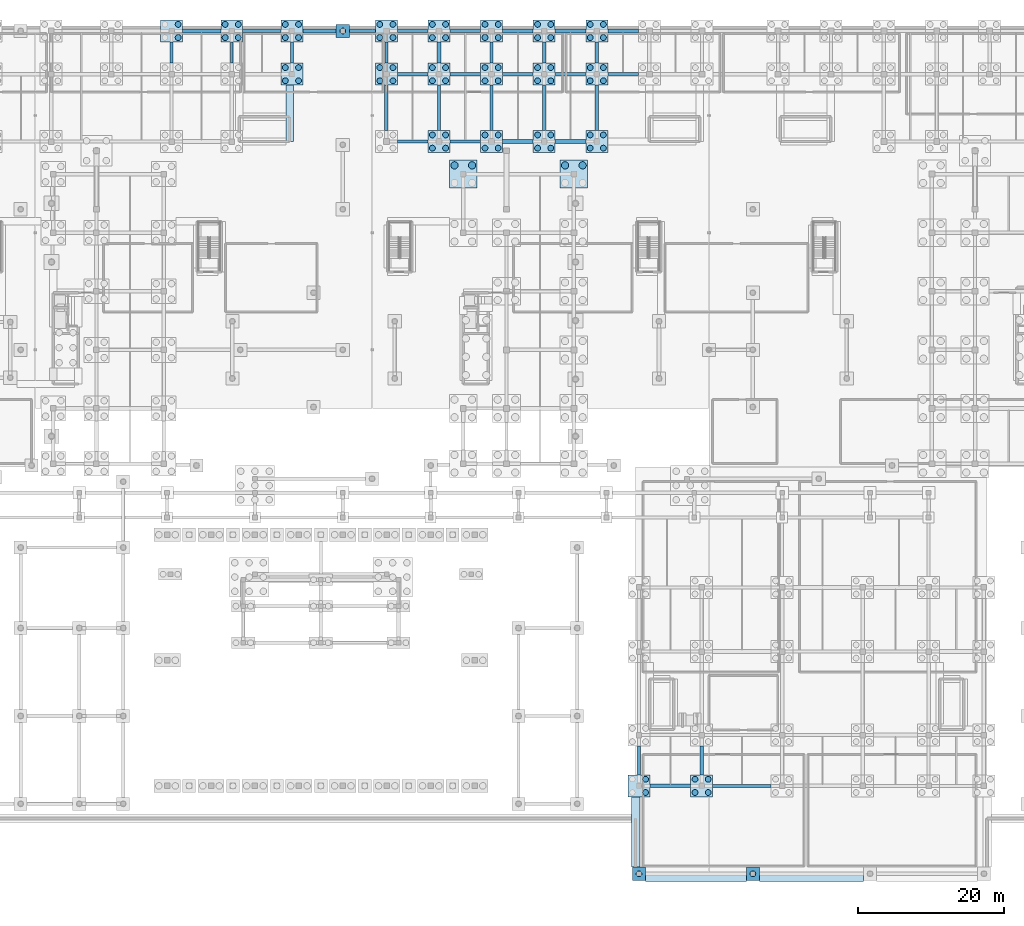
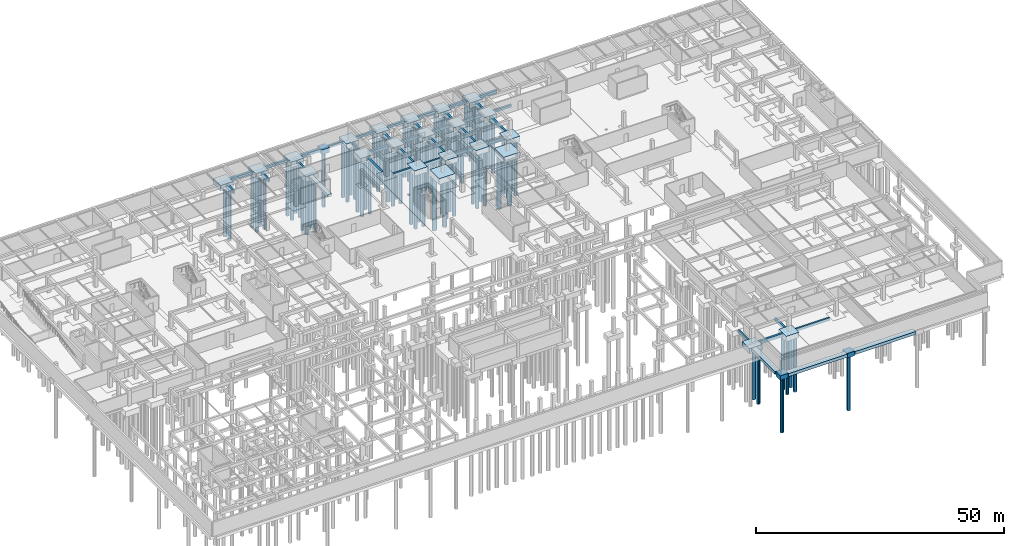
# One storey, part 8 of 35: 83 piles, 64 footings.
"""IFC4 building model written with IfcOpenShell, lengths in metres."""

from ifc_helpers import new_model, si_unit, direction, frame, origin, origin_2d, place, context, subcontext, project, spatial, rectangle, circle, extrude, material, material_profile, profile_set, type_object, element, save


model = new_model("IFC4")

# Units and contexts
model_context = context("Model", 3, precision=1e-05, world=origin(), true_north=direction((0.0, 1.0)))
body_context = subcontext(model_context, "Body", "Model", "MODEL_VIEW")
ifc_project = project(units=[si_unit("LENGTHUNIT", "METRE"), si_unit("AREAUNIT", "SQUARE_METRE"), si_unit("VOLUMEUNIT", "CUBIC_METRE"), si_unit("PLANEANGLEUNIT", "RADIAN"), si_unit("MASSUNIT", "GRAM", prefix="KILO")], contexts=[model_context])

# Site, building, storey
site_placement = place(None, origin())
site = spatial("IfcSite", under=ifc_project, at=site_placement, CompositionType="ELEMENT")
building_placement = place(site_placement, origin())
building = spatial("IfcBuilding", under=site, at=building_placement, Name="Keldmere Railside Commons", CompositionType="ELEMENT")
storey_placement = place(building_placement, frame((0.0, 0.0, -3.840087890625)))
storey = spatial("IfcBuildingStorey", under=building, at=storey_placement, Name="B1", CompositionType="ELEMENT", Elevation=-3.840087890625)

# Piles
ifc_material_1 = material(Name="Concrete H-30 (C30/37)", Category="concrete")
ifc_material_profile_1 = material_profile(ifc_material_1, circle(Radius=0.5, at=origin_2d()), Name="PILE-D1000")
ifc_profile_set_1 = profile_set([ifc_material_profile_1], Name="Concrete H-30 (C30/37)")
pile_type_1 = type_object("IfcPileType", Name="Bored Concrete Pile D1000", PredefinedType="BORED", material=ifc_profile_set_1)
for number, where, z_axis, x_axis, name in (
    (1, (105.64990234375, 97.199951171875, -1.39990234375), (0.0, 0.0, -1.0), (1.0, 0.0, 0.0), "BP-1000 PILE-0491"),
    (2, (103.25, 97.199951171875, -1.39990234375), (0.0, 0.0, -1.0), (1.0, 0.0, 0.0), "BP-1000 PILE-0492"),
    (3, (120.75, 97.199951171875, -1.39990234375), (0.0, 0.0, -1.0), (1.0, 0.0, 0.0), "BP-1000 PILE-0566"),
    (4, (118.35009765625, 97.199951171875, -1.39990234375), (0.0, 0.0, -1.0), (1.0, 0.0, 0.0), "BP-1000 PILE-0567"),
):
    element("IfcPile", number, at=place(storey_placement, frame(where, z_axis=z_axis, x_axis=x_axis)), inside=storey, type_object=pile_type_1, Name=name, PredefinedType="BORED", context=body_context, shape_type="SweptSolid", body=[
        extrude(circle(Radius=0.5, at=origin_2d()), origin(), (0.0, 0.0, 1.0), 13.260009765625),
    ])
ifc_material_profile_2 = material_profile(ifc_material_1, circle(Radius=0.39990234375, at=origin_2d()), Name="PILE-D800")
ifc_profile_set_2 = profile_set([ifc_material_profile_2], Name="Concrete H-30 (C30/37)")
pile_type_2 = type_object("IfcPileType", Name="Bored Concrete Pile D800", PredefinedType="BORED", material=ifc_profile_set_2)
for number, where, z_axis, x_axis, name in (
    (5, (65.510009765625, 114.64990234375, -1.199951171875), (0.0, 0.0, -1.0), (1.0, 0.0, 0.0), "BP-800 PILE-0337"),
    (6, (65.510009765625, 116.449951171875, -1.199951171875), (0.0, 0.0, -1.0), (1.0, 0.0, 0.0), "BP-800 PILE-0338"),
    (7, (71.929931640625, 114.64990234375, -1.199951171875), (0.0, 0.0, -1.0), (1.0, 0.0, 0.0), "BP-800 PILE-0355"),
    (8, (73.72998046875, 114.64990234375, -1.199951171875), (0.0, 0.0, -1.0), (1.0, 0.0, 0.0), "BP-800 PILE-0356"),
    (9, (73.72998046875, 116.449951171875, -1.199951171875), (0.0, 0.0, -1.0), (1.0, 0.0, 0.0), "BP-800 PILE-0357"),
    (10, (71.929931640625, 116.449951171875, -1.199951171875), (0.0, 0.0, -1.0), (1.0, 0.0, 0.0), "BP-800 PILE-0358"),
    (11, (80.14990234375, 108.75, -1.199951171875), (0.0, 0.0, -1.0), (1.0, 0.0, 0.0), "BP-800 PILE-0392"),
    (12, (81.949951171875, 108.75, -1.199951171875), (0.0, 0.0, -1.0), (1.0, 0.0, 0.0), "BP-800 PILE-0393"),
    (13, (81.949951171875, 110.550048828125, -1.199951171875), (0.0, 0.0, -1.0), (1.0, 0.0, 0.0), "BP-800 PILE-0394"),
    (14, (80.14990234375, 110.550048828125, -1.199951171875), (0.0, 0.0, -1.0), (1.0, 0.0, 0.0), "BP-800 PILE-0395"),
    (15, (80.14990234375, 114.64990234375, -1.199951171875), (0.0, 0.0, -1.0), (1.0, 0.0, 0.0), "BP-800 PILE-0396"),
    (16, (81.949951171875, 114.64990234375, -1.199951171875), (0.0, 0.0, -1.0), (1.0, 0.0, 0.0), "BP-800 PILE-0397"),
    (17, (81.949951171875, 116.449951171875, -1.199951171875), (0.0, 0.0, -1.0), (1.0, 0.0, 0.0), "BP-800 PILE-0398"),
    (18, (80.14990234375, 116.449951171875, -1.199951171875), (0.0, 0.0, -1.0), (1.0, 0.0, 0.0), "BP-800 PILE-0399"),
):
    element("IfcPile", number, at=place(storey_placement, frame(where, z_axis=z_axis, x_axis=x_axis)), inside=storey, type_object=pile_type_2, Name=name, PredefinedType="BORED", context=body_context, shape_type="SweptSolid", body=[
        extrude(circle(Radius=0.39990234375, at=origin_2d()), origin(), (0.0, 0.0, 1.0), 13.4599609375),
    ])
pile_1_placement = place(storey_placement, frame((88.0, 115.550048828125, -1.0), z_axis=(0.0, 0.0, -1.0), x_axis=(1.0, 0.0, 0.0)))
element("IfcPile", 19, at=pile_1_placement, inside=storey, type_object=pile_type_2, Name="BP-800 PILE-0421", PredefinedType="BORED", context=body_context, shape_type="SweptSolid", body=[
    extrude(circle(Radius=0.39990234375, at=origin_2d()), origin(), (0.0, 0.0, 1.0), 13.659912109375),
])
for number, where, z_axis, x_axis, name in (
    (20, (93.050048828125, 108.75, -1.199951171875), (0.0, 0.0, -1.0), (1.0, 0.0, 0.0), "BP-800 PILE-0429"),
    (21, (94.85009765625, 108.75, -1.199951171875), (0.0, 0.0, -1.0), (1.0, 0.0, 0.0), "BP-800 PILE-0430"),
    (22, (94.85009765625, 110.550048828125, -1.199951171875), (0.0, 0.0, -1.0), (1.0, 0.0, 0.0), "BP-800 PILE-0431"),
    (23, (93.050048828125, 110.550048828125, -1.199951171875), (0.0, 0.0, -1.0), (1.0, 0.0, 0.0), "BP-800 PILE-0432"),
    (24, (93.050048828125, 114.64990234375, -1.199951171875), (0.0, 0.0, -1.0), (1.0, 0.0, 0.0), "BP-800 PILE-0433"),
    (25, (94.85009765625, 114.64990234375, -1.199951171875), (0.0, 0.0, -1.0), (1.0, 0.0, 0.0), "BP-800 PILE-0434"),
    (26, (94.85009765625, 116.449951171875, -1.199951171875), (0.0, 0.0, -1.0), (1.0, 0.0, 0.0), "BP-800 PILE-0435"),
    (27, (93.050048828125, 116.449951171875, -1.199951171875), (0.0, 0.0, -1.0), (1.0, 0.0, 0.0), "BP-800 PILE-0436"),
    (28, (100.23291015625, 99.550048828125, -1.199951171875), (0.0, 0.0, -1.0), (1.0, 0.0, 0.0), "BP-800 PILE-0463"),
    (29, (102.032958984375, 99.550048828125, -1.199951171875), (0.0, 0.0, -1.0), (1.0, 0.0, 0.0), "BP-800 PILE-0464"),
    (30, (102.032958984375, 101.35009765625, -1.199951171875), (0.0, 0.0, -1.0), (1.0, 0.0, 0.0), "BP-800 PILE-0465"),
    (31, (100.23291015625, 101.35009765625, -1.199951171875), (0.0, 0.0, -1.0), (1.0, 0.0, 0.0), "BP-800 PILE-0466"),
    (32, (100.23291015625, 108.75, -1.199951171875), (0.0, 0.0, -1.0), (1.0, 0.0, 0.0), "BP-800 PILE-0467"),
    (33, (102.032958984375, 108.75, -1.199951171875), (0.0, 0.0, -1.0), (1.0, 0.0, 0.0), "BP-800 PILE-0468"),
    (34, (102.032958984375, 110.550048828125, -1.199951171875), (0.0, 0.0, -1.0), (1.0, 0.0, 0.0), "BP-800 PILE-0469"),
    (35, (100.23291015625, 110.550048828125, -1.199951171875), (0.0, 0.0, -1.0), (1.0, 0.0, 0.0), "BP-800 PILE-0470"),
    (36, (100.23291015625, 114.64990234375, -1.199951171875), (0.0, 0.0, -1.0), (1.0, 0.0, 0.0), "BP-800 PILE-0471"),
    (37, (102.032958984375, 114.64990234375, -1.199951171875), (0.0, 0.0, -1.0), (1.0, 0.0, 0.0), "BP-800 PILE-0472"),
    (38, (102.032958984375, 116.449951171875, -1.199951171875), (0.0, 0.0, -1.0), (1.0, 0.0, 0.0), "BP-800 PILE-0473"),
    (39, (100.23291015625, 116.449951171875, -1.199951171875), (0.0, 0.0, -1.0), (1.0, 0.0, 0.0), "BP-800 PILE-0474"),
    (40, (107.4169921875, 99.550048828125, -1.199951171875), (0.0, 0.0, -1.0), (1.0, 0.0, 0.0), "BP-800 PILE-0501"),
    (41, (109.217041015625, 99.550048828125, -1.199951171875), (0.0, 0.0, -1.0), (1.0, 0.0, 0.0), "BP-800 PILE-0502"),
    (42, (109.217041015625, 101.35009765625, -1.199951171875), (0.0, 0.0, -1.0), (1.0, 0.0, 0.0), "BP-800 PILE-0503"),
    (43, (107.4169921875, 101.35009765625, -1.199951171875), (0.0, 0.0, -1.0), (1.0, 0.0, 0.0), "BP-800 PILE-0504"),
    (44, (107.4169921875, 108.75, -1.199951171875), (0.0, 0.0, -1.0), (1.0, 0.0, 0.0), "BP-800 PILE-0505"),
    (45, (109.217041015625, 108.75, -1.199951171875), (0.0, 0.0, -1.0), (1.0, 0.0, 0.0), "BP-800 PILE-0506"),
    (46, (109.217041015625, 110.550048828125, -1.199951171875), (0.0, 0.0, -1.0), (1.0, 0.0, 0.0), "BP-800 PILE-0507"),
    (47, (107.4169921875, 110.550048828125, -1.199951171875), (0.0, 0.0, -1.0), (1.0, 0.0, 0.0), "BP-800 PILE-0508"),
    (48, (107.4169921875, 114.64990234375, -1.199951171875), (0.0, 0.0, -1.0), (1.0, 0.0, 0.0), "BP-800 PILE-0509"),
    (49, (109.217041015625, 114.64990234375, -1.199951171875), (0.0, 0.0, -1.0), (1.0, 0.0, 0.0), "BP-800 PILE-0510"),
    (50, (109.217041015625, 116.449951171875, -1.199951171875), (0.0, 0.0, -1.0), (1.0, 0.0, 0.0), "BP-800 PILE-0511"),
    (51, (107.4169921875, 116.449951171875, -1.199951171875), (0.0, 0.0, -1.0), (1.0, 0.0, 0.0), "BP-800 PILE-0512"),
    (52, (114.60009765625, 99.550048828125, -1.199951171875), (0.0, 0.0, -1.0), (1.0, 0.0, 0.0), "BP-800 PILE-0532"),
    (53, (116.39990234375, 99.550048828125, -1.199951171875), (0.0, 0.0, -1.0), (1.0, 0.0, 0.0), "BP-800 PILE-0533"),
    (54, (116.39990234375, 101.35009765625, -1.199951171875), (0.0, 0.0, -1.0), (1.0, 0.0, 0.0), "BP-800 PILE-0534"),
    (55, (114.60009765625, 101.35009765625, -1.199951171875), (0.0, 0.0, -1.0), (1.0, 0.0, 0.0), "BP-800 PILE-0535"),
    (56, (114.60009765625, 108.75, -1.199951171875), (0.0, 0.0, -1.0), (1.0, 0.0, 0.0), "BP-800 PILE-0536"),
    (57, (116.39990234375, 108.75, -1.199951171875), (0.0, 0.0, -1.0), (1.0, 0.0, 0.0), "BP-800 PILE-0537"),
    (58, (116.39990234375, 110.550048828125, -1.199951171875), (0.0, 0.0, -1.0), (1.0, 0.0, 0.0), "BP-800 PILE-0538"),
    (59, (114.60009765625, 110.550048828125, -1.199951171875), (0.0, 0.0, -1.0), (1.0, 0.0, 0.0), "BP-800 PILE-0539"),
    (60, (114.60009765625, 114.64990234375, -1.199951171875), (0.0, 0.0, -1.0), (1.0, 0.0, 0.0), "BP-800 PILE-0540"),
    (61, (116.39990234375, 114.64990234375, -1.199951171875), (0.0, 0.0, -1.0), (1.0, 0.0, 0.0), "BP-800 PILE-0541"),
    (62, (116.39990234375, 116.449951171875, -1.199951171875), (0.0, 0.0, -1.0), (1.0, 0.0, 0.0), "BP-800 PILE-0542"),
    (63, (114.60009765625, 116.449951171875, -1.199951171875), (0.0, 0.0, -1.0), (1.0, 0.0, 0.0), "BP-800 PILE-0543"),
    (64, (121.782958984375, 99.550048828125, -1.199951171875), (0.0, 0.0, -1.0), (1.0, 0.0, 0.0), "BP-800 PILE-0577"),
    (65, (123.5830078125, 99.550048828125, -1.199951171875), (0.0, 0.0, -1.0), (1.0, 0.0, 0.0), "BP-800 PILE-0578"),
    (66, (123.5830078125, 101.35009765625, -1.199951171875), (0.0, 0.0, -1.0), (1.0, 0.0, 0.0), "BP-800 PILE-0579"),
    (67, (121.782958984375, 101.35009765625, -1.199951171875), (0.0, 0.0, -1.0), (1.0, 0.0, 0.0), "BP-800 PILE-0580"),
    (68, (121.782958984375, 108.75, -1.199951171875), (0.0, 0.0, -1.0), (1.0, 0.0, 0.0), "BP-800 PILE-0581"),
    (69, (123.5830078125, 108.75, -1.199951171875), (0.0, 0.0, -1.0), (1.0, 0.0, 0.0), "BP-800 PILE-0582"),
    (70, (123.5830078125, 110.550048828125, -1.199951171875), (0.0, 0.0, -1.0), (1.0, 0.0, 0.0), "BP-800 PILE-0583"),
    (71, (121.782958984375, 110.550048828125, -1.199951171875), (0.0, 0.0, -1.0), (1.0, 0.0, 0.0), "BP-800 PILE-0584"),
    (72, (121.782958984375, 114.64990234375, -1.199951171875), (0.0, 0.0, -1.0), (1.0, 0.0, 0.0), "BP-800 PILE-0585"),
    (73, (123.5830078125, 114.64990234375, -1.199951171875), (0.0, 0.0, -1.0), (1.0, 0.0, 0.0), "BP-800 PILE-0586"),
    (74, (123.5830078125, 116.449951171875, -1.199951171875), (0.0, 0.0, -1.0), (1.0, 0.0, 0.0), "BP-800 PILE-0587"),
    (75, (121.782958984375, 116.449951171875, -1.199951171875), (0.0, 0.0, -1.0), (1.0, 0.0, 0.0), "BP-800 PILE-0588"),
):
    element("IfcPile", number, at=place(storey_placement, frame(where, z_axis=z_axis, x_axis=x_axis)), inside=storey, type_object=pile_type_2, Name=name, PredefinedType="BORED", context=body_context, shape_type="SweptSolid", body=[
        extrude(circle(Radius=0.39990234375, at=origin_2d()), origin(), (0.0, 0.0, 1.0), 13.4599609375),
    ])
pile_2_placement = place(storey_placement, frame((128.449951171875, 0.449951171875, -1.0), z_axis=(0.0, 0.0, -1.0), x_axis=(1.0, 0.0, 0.0)))
element("IfcPile", 76, at=pile_2_placement, inside=storey, type_object=pile_type_2, Name="BP-800 PILE-0590", PredefinedType="BORED", context=body_context, shape_type="SweptSolid", body=[
    extrude(circle(Radius=0.39990234375, at=origin_2d()), origin(), (0.0, 0.0, 1.0), 13.659912109375),
])
for number, where, z_axis, x_axis, name in (
    (77, (129.35009765625, 11.550048828125, -1.199951171875), (0.0, 0.0, -1.0), (1.0, 0.0, 0.0), "BP-800 PILE-0592"),
    (78, (129.35009765625, 13.35009765625, -1.199951171875), (0.0, 0.0, -1.0), (1.0, 0.0, 0.0), "BP-800 PILE-0593"),
    (79, (136.10009765625, 11.550048828125, -1.199951171875), (0.0, 0.0, -1.0), (1.0, 0.0, 0.0), "BP-800 PILE-0626"),
    (80, (137.89990234375, 11.550048828125, -1.199951171875), (0.0, 0.0, -1.0), (1.0, 0.0, 0.0), "BP-800 PILE-0627"),
    (81, (137.89990234375, 13.35009765625, -1.199951171875), (0.0, 0.0, -1.0), (1.0, 0.0, 0.0), "BP-800 PILE-0628"),
    (82, (136.10009765625, 13.35009765625, -1.199951171875), (0.0, 0.0, -1.0), (1.0, 0.0, 0.0), "BP-800 PILE-0629"),
):
    element("IfcPile", number, at=place(storey_placement, frame(where, z_axis=z_axis, x_axis=x_axis)), inside=storey, type_object=pile_type_2, Name=name, PredefinedType="BORED", context=body_context, shape_type="SweptSolid", body=[
        extrude(circle(Radius=0.39990234375, at=origin_2d()), origin(), (0.0, 0.0, 1.0), 13.4599609375),
    ])
pile_3_placement = place(storey_placement, frame((144.0, 0.449951171875, -1.0), z_axis=(0.0, 0.0, -1.0), x_axis=(1.0, 0.0, 0.0)))
element("IfcPile", 83, at=pile_3_placement, inside=storey, type_object=pile_type_2, Name="BP-800 PILE-0651", PredefinedType="BORED", context=body_context, shape_type="SweptSolid", body=[
    extrude(circle(Radius=0.39990234375, at=origin_2d()), origin(), (0.0, 0.0, 1.0), 13.659912109375),
])

# Footings
ifc_material_2 = material(Name="Concrete H-40 (C40/50)", Category="concrete")
footing_type_1 = type_object("IfcFootingType", Name="Four-Pile Cap 3000x3000x1300", PredefinedType="PILE_CAP", material=ifc_material_2)
for number, where, z_axis, x_axis, name in (
    (84, (64.610107421875, 115.550048828125, -1.2998046875), (0.0, 0.0, 1.0), (1.0, 0.0, 0.0), "PC-04 FTG-136"),
    (85, (72.830078125, 115.550048828125, -1.2998046875), (0.0, 0.0, 1.0), (1.0, 0.0, 0.0), "PC-04 FTG-144"),
    (86, (81.050048828125, 109.64990234375, -1.2998046875), (0.0, 0.0, 1.0), (1.0, 0.0, 0.0), "PC-04 FTG-159"),
    (87, (81.050048828125, 115.550048828125, -1.2998046875), (0.0, 0.0, 1.0), (1.0, 0.0, 0.0), "PC-04 FTG-160"),
    (88, (93.949951171875, 109.64990234375, -1.2998046875), (0.0, 0.0, 1.0), (1.0, 0.0, 0.0), "PC-04 FTG-182"),
    (89, (93.949951171875, 115.550048828125, -1.2998046875), (0.0, 0.0, 1.0), (1.0, 0.0, 0.0), "PC-04 FTG-183"),
    (90, (101.133056640625, 100.449951171875, -1.2998046875), (0.0, 0.0, 1.0), (1.0, 0.0, 0.0), "PC-04 FTG-198"),
    (91, (101.133056640625, 109.64990234375, -1.2998046875), (0.0, 0.0, 1.0), (1.0, 0.0, 0.0), "PC-04 FTG-199"),
    (92, (101.133056640625, 115.550048828125, -1.2998046875), (0.0, 0.0, 1.0), (1.0, 0.0, 0.0), "PC-04 FTG-200"),
    (93, (108.31689453125, 100.449951171875, -1.2998046875), (0.0, 0.0, 1.0), (1.0, 0.0, 0.0), "PC-04 FTG-211"),
    (94, (108.31689453125, 109.64990234375, -1.2998046875), (0.0, 0.0, 1.0), (1.0, 0.0, 0.0), "PC-04 FTG-212"),
    (95, (108.31689453125, 115.550048828125, -1.2998046875), (0.0, 0.0, 1.0), (1.0, 0.0, 0.0), "PC-04 FTG-213"),
    (96, (115.5, 100.449951171875, -1.2998046875), (0.0, 0.0, 1.0), (1.0, 0.0, 0.0), "PC-04 FTG-223"),
    (97, (115.5, 109.64990234375, -1.2998046875), (0.0, 0.0, 1.0), (1.0, 0.0, 0.0), "PC-04 FTG-224"),
    (98, (115.5, 115.550048828125, -1.2998046875), (0.0, 0.0, 1.0), (1.0, 0.0, 0.0), "PC-04 FTG-225"),
    (99, (122.68310546875, 100.449951171875, -1.2998046875), (0.0, 0.0, 1.0), (1.0, 0.0, 0.0), "PC-04 FTG-241"),
    (100, (122.68310546875, 109.64990234375, -1.2998046875), (0.0, 0.0, 1.0), (1.0, 0.0, 0.0), "PC-04 FTG-242"),
    (101, (122.68310546875, 115.550048828125, -1.2998046875), (0.0, 0.0, 1.0), (1.0, 0.0, 0.0), "PC-04 FTG-243"),
    (102, (128.449951171875, 12.449951171875, -1.2998046875), (0.0, 0.0, 1.0), (1.0, 0.0, 0.0), "PC-04 FTG-248"),
    (103, (137.0, 12.449951171875, -1.2998046875), (0.0, 0.0, 1.0), (1.0, 0.0, 0.0), "PC-04 FTG-258"),
):
    element("IfcFooting", number, at=place(storey_placement, frame(where, z_axis=z_axis, x_axis=x_axis)), inside=storey, type_object=footing_type_1, Name=name, PredefinedType="PILE_CAP", context=body_context, shape_type="SweptSolid", body=[
        extrude(rectangle(XDim=3.0, YDim=3.0, at=origin_2d()), origin(), (0.0, 0.0, 1.0), 1.300048828125),
    ])
footing_type_2 = type_object("IfcFootingType", Name="Four-Pile D1000 Cap 3800x3800x1500", PredefinedType="PILE_CAP", material=ifc_material_2)
for number, where, z_axis, x_axis, name in (
    (104, (104.449951171875, 96.0, -1.5), (0.0, 0.0, 1.0), (1.0, 0.0, 0.0), "PC-06 FTG-206"),
    (105, (119.550048828125, 96.0, -1.5), (0.0, 0.0, 1.0), (1.0, 0.0, 0.0), "PC-06 FTG-231"),
):
    element("IfcFooting", number, at=place(storey_placement, frame(where, z_axis=z_axis, x_axis=x_axis)), inside=storey, type_object=footing_type_2, Name=name, PredefinedType="PILE_CAP", context=body_context, shape_type="SweptSolid", body=[
        extrude(rectangle(XDim=3.800048828125, YDim=3.800048828125, at=origin_2d()), origin(), (0.0, 0.0, 1.0), 1.5),
    ])
footing_type_3 = type_object("IfcFootingType", Name="Perimeter Ground Tie Beam 400x650", PredefinedType="FOOTING_BEAM", material=ifc_material_2)
for number, where, z_axis, x_axis, name in (
    (106, (72.830078125, 112.60009765625, -0.64990234375), (0.0, 0.0, 1.0), (0.0, 1.0, 0.0), "GB-03 GB-134"),
    (107, (81.050048828125, 112.60009765625, -0.64990234375), (0.0, 0.0, 1.0), (0.0, 1.0, 0.0), "GB-03 GB-140"),
):
    element("IfcFooting", number, at=place(storey_placement, frame(where, z_axis=z_axis, x_axis=x_axis)), inside=storey, type_object=footing_type_3, Name=name, PredefinedType="FOOTING_BEAM", context=body_context, shape_type="SweptSolid", body=[
        extrude(rectangle(XDim=2.89990234375, YDim=0.39990234375, at=origin_2d()), origin(), (0.0, 0.0, 1.0), 0.64990234375),
    ])
footing_1_placement = place(storey_placement, frame((90.675048828125, 115.550048828125, -0.64990234375), z_axis=(0.0, 0.0, 1.0), x_axis=(1.0, 0.0, 0.0)))
element("IfcFooting", 108, at=footing_1_placement, inside=storey, type_object=footing_type_3, Name="GB-03 GB-149", PredefinedType="FOOTING_BEAM", context=body_context, shape_type="SweptSolid", body=[
    extrude(rectangle(XDim=3.550048828125, YDim=0.39990234375, at=origin_2d()), origin(), (0.0, 0.0, 1.0), 0.64990234375),
])
footing_2_placement = place(storey_placement, frame((93.949951171875, 112.60009765625, -0.64990234375), z_axis=(0.0, 0.0, 1.0), x_axis=(0.0, 1.0, 0.0)))
element("IfcFooting", 109, at=footing_2_placement, inside=storey, type_object=footing_type_3, Name="GB-03 GB-152", PredefinedType="FOOTING_BEAM", context=body_context, shape_type="SweptSolid", body=[
    extrude(rectangle(XDim=2.89990234375, YDim=0.39990234375, at=origin_2d()), origin(), (0.0, 0.0, 1.0), 0.64990234375),
])
for number, where, z_axis, x_axis, name in (
    (110, (104.72509765625, 100.449951171875, -0.64990234375), (0.0, 0.0, 1.0), (1.0, 0.0, 0.0), "GB-03 GB-161"),
    (111, (104.72509765625, 115.550048828125, -0.64990234375), (0.0, 0.0, 1.0), (1.0, 0.0, 0.0), "GB-03 GB-164"),
):
    element("IfcFooting", number, at=place(storey_placement, frame(where, z_axis=z_axis, x_axis=x_axis)), inside=storey, type_object=footing_type_3, Name=name, PredefinedType="FOOTING_BEAM", context=body_context, shape_type="SweptSolid", body=[
        extrude(rectangle(XDim=4.18408203125, YDim=0.39990234375, at=origin_2d()), origin(), (0.0, 0.0, 1.0), 0.64990234375),
    ])
footing_3_placement = place(storey_placement, frame((108.31689453125, 105.050048828125, -0.64990234375), z_axis=(0.0, 0.0, 1.0), x_axis=(0.0, 1.0, 0.0)))
element("IfcFooting", 112, at=footing_3_placement, inside=storey, type_object=footing_type_3, Name="GB-03 GB-170", PredefinedType="FOOTING_BEAM", context=body_context, shape_type="SweptSolid", body=[
    extrude(rectangle(XDim=6.199951171875, YDim=0.39990234375, at=origin_2d()), origin(), (0.0, 0.0, 1.0), 0.64990234375),
])
footing_4_placement = place(storey_placement, frame((111.908447265625, 109.64990234375, -0.64990234375), z_axis=(0.0, 0.0, 1.0), x_axis=(1.0, 0.0, 0.0)))
element("IfcFooting", 113, at=footing_4_placement, inside=storey, type_object=footing_type_3, Name="GB-03 GB-173", PredefinedType="FOOTING_BEAM", context=body_context, shape_type="SweptSolid", body=[
    extrude(rectangle(XDim=4.18310546875, YDim=0.39990234375, at=origin_2d()), origin(), (0.0, 0.0, 1.0), 0.64990234375),
])
footing_5_placement = place(storey_placement, frame((115.5, 105.050048828125, -0.64990234375), z_axis=(0.0, 0.0, 1.0), x_axis=(0.0, 1.0, 0.0)))
element("IfcFooting", 114, at=footing_5_placement, inside=storey, type_object=footing_type_3, Name="GB-03 GB-185", PredefinedType="FOOTING_BEAM", context=body_context, shape_type="SweptSolid", body=[
    extrude(rectangle(XDim=6.199951171875, YDim=0.39990234375, at=origin_2d()), origin(), (0.0, 0.0, 1.0), 0.64990234375),
])
footing_6_placement = place(storey_placement, frame((119.091552734375, 109.64990234375, -0.64990234375), z_axis=(0.0, 0.0, 1.0), x_axis=(1.0, 0.0, 0.0)))
element("IfcFooting", 115, at=footing_6_placement, inside=storey, type_object=footing_type_3, Name="GB-03 GB-188", PredefinedType="FOOTING_BEAM", context=body_context, shape_type="SweptSolid", body=[
    extrude(rectangle(XDim=4.18310546875, YDim=0.39990234375, at=origin_2d()), origin(), (0.0, 0.0, 1.0), 0.64990234375),
])
footing_7_placement = place(storey_placement, frame((126.27490234375, 109.64990234375, -0.64990234375), z_axis=(0.0, 0.0, 1.0), x_axis=(1.0, 0.0, 0.0)))
element("IfcFooting", 116, at=footing_7_placement, inside=storey, type_object=footing_type_3, Name="GB-03 GB-194", PredefinedType="FOOTING_BEAM", context=body_context, shape_type="SweptSolid", body=[
    extrude(rectangle(XDim=4.18408203125, YDim=0.39990234375, at=origin_2d()), origin(), (0.0, 0.0, 1.0), 0.64990234375),
])
footing_8_placement = place(storey_placement, frame((128.449951171875, 15.925048828125, -0.64990234375), z_axis=(0.0, 0.0, 1.0), x_axis=(0.0, 1.0, 0.0)))
element("IfcFooting", 117, at=footing_8_placement, inside=storey, type_object=footing_type_3, Name="GB-03 GB-197", PredefinedType="FOOTING_BEAM", context=body_context, shape_type="SweptSolid", body=[
    extrude(rectangle(XDim=3.949951171875, YDim=0.39990234375, at=origin_2d()), origin(), (0.0, 0.0, 1.0), 0.64990234375),
])
footing_9_placement = place(storey_placement, frame((142.5, 12.449951171875, -0.64990234375), z_axis=(0.0, 0.0, 1.0), x_axis=(1.0, 0.0, 0.0)))
element("IfcFooting", 118, at=footing_9_placement, inside=storey, type_object=footing_type_3, Name="GB-03 GB-209", PredefinedType="FOOTING_BEAM", context=body_context, shape_type="SweptSolid", body=[
    extrude(rectangle(XDim=8.0, YDim=0.39990234375, at=origin_2d()), origin(), (0.0, 0.0, 1.0), 0.64990234375),
])
footing_type_4 = type_object("IfcFootingType", Name="Primary Ground Tie Beam 500x800", PredefinedType="FOOTING_BEAM", material=ifc_material_2)
footing_10_placement = place(storey_placement, frame((68.719970703125, 115.550048828125, -0.7998046875), z_axis=(0.0, 0.0, 1.0), x_axis=(1.0, 0.0, 0.0)))
element("IfcFooting", 119, at=footing_10_placement, inside=storey, type_object=footing_type_4, Name="GB-01 GB-132", PredefinedType="FOOTING_BEAM", context=body_context, shape_type="SweptSolid", body=[
    extrude(rectangle(XDim=5.219970703125, YDim=0.5, at=origin_2d()), origin(), (0.0, 0.0, 1.0), 0.800048828125),
])
footing_11_placement = place(storey_placement, frame((84.824951171875, 115.550048828125, -0.7998046875), z_axis=(0.0, 0.0, 1.0), x_axis=(1.0, 0.0, 0.0)))
element("IfcFooting", 120, at=footing_11_placement, inside=storey, type_object=footing_type_4, Name="GB-01 GB-141", PredefinedType="FOOTING_BEAM", context=body_context, shape_type="SweptSolid", body=[
    extrude(rectangle(XDim=4.550048828125, YDim=0.5, at=origin_2d()), origin(), (0.0, 0.0, 1.0), 0.800048828125),
])
footing_12_placement = place(storey_placement, frame((93.949951171875, 105.050048828125, -0.7998046875), z_axis=(0.0, 0.0, 1.0), x_axis=(0.0, 1.0, 0.0)))
element("IfcFooting", 121, at=footing_12_placement, inside=storey, type_object=footing_type_4, Name="GB-01 GB-150", PredefinedType="FOOTING_BEAM", context=body_context, shape_type="SweptSolid", body=[
    extrude(rectangle(XDim=6.199951171875, YDim=0.5, at=origin_2d()), origin(), (0.0, 0.0, 1.0), 0.800048828125),
])
footing_13_placement = place(storey_placement, frame((97.54150390625, 109.64990234375, -0.7998046875), z_axis=(0.0, 0.0, 1.0), x_axis=(1.0, 0.0, 0.0)))
element("IfcFooting", 122, at=footing_13_placement, inside=storey, type_object=footing_type_4, Name="GB-01 GB-153", PredefinedType="FOOTING_BEAM", context=body_context, shape_type="SweptSolid", body=[
    extrude(rectangle(XDim=4.18310546875, YDim=0.5, at=origin_2d()), origin(), (0.0, 0.0, 1.0), 0.800048828125),
])
footing_14_placement = place(storey_placement, frame((101.133056640625, 112.60009765625, -0.7998046875), z_axis=(0.0, 0.0, 1.0), x_axis=(0.0, 1.0, 0.0)))
element("IfcFooting", 123, at=footing_14_placement, inside=storey, type_object=footing_type_4, Name="GB-01 GB-162", PredefinedType="FOOTING_BEAM", context=body_context, shape_type="SweptSolid", body=[
    extrude(rectangle(XDim=2.89990234375, YDim=0.5, at=origin_2d()), origin(), (0.0, 0.0, 1.0), 0.800048828125),
])
for number, where, z_axis, x_axis, name in (
    (124, (111.908447265625, 100.449951171875, -0.7998046875), (0.0, 0.0, 1.0), (1.0, 0.0, 0.0), "GB-01 GB-171"),
    (125, (111.908447265625, 115.550048828125, -0.7998046875), (0.0, 0.0, 1.0), (1.0, 0.0, 0.0), "GB-01 GB-174"),
    (126, (119.091552734375, 100.449951171875, -0.7998046875), (0.0, 0.0, 1.0), (1.0, 0.0, 0.0), "GB-01 GB-186"),
    (127, (119.091552734375, 115.550048828125, -0.7998046875), (0.0, 0.0, 1.0), (1.0, 0.0, 0.0), "GB-01 GB-189"),
):
    element("IfcFooting", number, at=place(storey_placement, frame(where, z_axis=z_axis, x_axis=x_axis)), inside=storey, type_object=footing_type_4, Name=name, PredefinedType="FOOTING_BEAM", context=body_context, shape_type="SweptSolid", body=[
        extrude(rectangle(XDim=4.18310546875, YDim=0.5, at=origin_2d()), origin(), (0.0, 0.0, 1.0), 0.800048828125),
    ])
footing_15_placement = place(storey_placement, frame((122.68310546875, 105.050048828125, -0.7998046875), z_axis=(0.0, 0.0, 1.0), x_axis=(0.0, 1.0, 0.0)))
element("IfcFooting", 128, at=footing_15_placement, inside=storey, type_object=footing_type_4, Name="GB-01 GB-192", PredefinedType="FOOTING_BEAM", context=body_context, shape_type="SweptSolid", body=[
    extrude(rectangle(XDim=6.199951171875, YDim=0.5, at=origin_2d()), origin(), (0.0, 0.0, 1.0), 0.800048828125),
])
footing_16_placement = place(storey_placement, frame((126.27490234375, 115.550048828125, -0.7998046875), z_axis=(0.0, 0.0, 1.0), x_axis=(1.0, 0.0, 0.0)))
element("IfcFooting", 129, at=footing_16_placement, inside=storey, type_object=footing_type_4, Name="GB-01 GB-195", PredefinedType="FOOTING_BEAM", context=body_context, shape_type="SweptSolid", body=[
    extrude(rectangle(XDim=4.18408203125, YDim=0.5, at=origin_2d()), origin(), (0.0, 0.0, 1.0), 0.800048828125),
])
footing_17_placement = place(storey_placement, frame((132.72509765625, 12.449951171875, -0.7998046875), z_axis=(0.0, 0.0, 1.0), x_axis=(1.0, 0.0, 0.0)))
element("IfcFooting", 130, at=footing_17_placement, inside=storey, type_object=footing_type_4, Name="GB-01 GB-198", PredefinedType="FOOTING_BEAM", context=body_context, shape_type="SweptSolid", body=[
    extrude(rectangle(XDim=5.550048828125, YDim=0.5, at=origin_2d()), origin(), (0.0, 0.0, 1.0), 0.800048828125),
])
footing_type_5 = type_object("IfcFootingType", Name="Ramp Wall Strip Footing 1000x650", PredefinedType="STRIP_FOOTING", material=ifc_material_2)
footing_18_placement = place(storey_placement, frame((80.75, 104.300048828125, -0.64990234375), z_axis=(0.0, 0.0, 1.0), x_axis=(0.0, 1.0, 0.0)))
element("IfcFooting", 131, at=footing_18_placement, inside=storey, type_object=footing_type_5, Name="SF-02 WSF-041", PredefinedType="STRIP_FOOTING", context=body_context, shape_type="SweptSolid", body=[
    extrude(rectangle(XDim=7.699951171875, YDim=1.0, at=origin_2d()), origin(), (0.0, 0.0, 1.0), 0.64990234375),
])
footing_type_6 = type_object("IfcFootingType", Name="Retaining Wall Strip Footing 1200x750", PredefinedType="STRIP_FOOTING", material=ifc_material_2)
footing_19_placement = place(storey_placement, frame((136.22509765625, 0.0, -0.75), z_axis=(0.0, 0.0, 1.0), x_axis=(1.0, 0.0, 0.0)))
element("IfcFooting", 132, at=footing_19_placement, inside=storey, type_object=footing_type_6, Name="SF-01 WSF-017", PredefinedType="STRIP_FOOTING", context=body_context, shape_type="SweptSolid", body=[
    extrude(rectangle(XDim=13.75, YDim=1.199951171875, at=origin_2d()), origin(), (0.0, 0.0, 1.0), 0.75),
])
footing_20_placement = place(storey_placement, frame((152.0, 0.0, -0.75), z_axis=(0.0, 0.0, 1.0), x_axis=(1.0, 0.0, 0.0)))
element("IfcFooting", 133, at=footing_20_placement, inside=storey, type_object=footing_type_6, Name="SF-01 WSF-018", PredefinedType="STRIP_FOOTING", context=body_context, shape_type="SweptSolid", body=[
    extrude(rectangle(XDim=14.199951171875, YDim=1.199951171875, at=origin_2d()), origin(), (0.0, 0.0, 1.0), 0.75),
])
footing_21_placement = place(storey_placement, frame((128.0, 6.14990234375, -0.75), z_axis=(0.0, 0.0, 1.0), x_axis=(0.0, 1.0, 0.0)))
element("IfcFooting", 134, at=footing_21_placement, inside=storey, type_object=footing_type_6, Name="SF-01 WSF-020", PredefinedType="STRIP_FOOTING", context=body_context, shape_type="SweptSolid", body=[
    extrude(rectangle(XDim=9.60009765625, YDim=1.199951171875, at=origin_2d()), origin(), (0.0, 0.0, 1.0), 0.75),
])
footing_type_7 = type_object("IfcFootingType", Name="Secondary Ground Tie Beam 450x700", PredefinedType="FOOTING_BEAM", material=ifc_material_2)
footing_22_placement = place(storey_placement, frame((64.610107421875, 112.60009765625, -0.69970703125), z_axis=(0.0, 0.0, 1.0), x_axis=(0.0, 1.0, 0.0)))
element("IfcFooting", 135, at=footing_22_placement, inside=storey, type_object=footing_type_7, Name="GB-02 GB-130", PredefinedType="FOOTING_BEAM", context=body_context, shape_type="SweptSolid", body=[
    extrude(rectangle(XDim=2.89990234375, YDim=0.449951171875, at=origin_2d()), origin(), (0.0, 0.0, 1.0), 0.699951171875),
])
footing_23_placement = place(storey_placement, frame((76.93994140625, 115.550048828125, -0.69970703125), z_axis=(0.0, 0.0, 1.0), x_axis=(1.0, 0.0, 0.0)))
element("IfcFooting", 136, at=footing_23_placement, inside=storey, type_object=footing_type_7, Name="GB-02 GB-136", PredefinedType="FOOTING_BEAM", context=body_context, shape_type="SweptSolid", body=[
    extrude(rectangle(XDim=5.219970703125, YDim=0.449951171875, at=origin_2d()), origin(), (0.0, 0.0, 1.0), 0.699951171875),
])
for number, where, z_axis, x_axis, name in (
    (137, (97.54150390625, 100.449951171875, -0.69970703125), (0.0, 0.0, 1.0), (1.0, 0.0, 0.0), "GB-02 GB-151"),
    (138, (97.54150390625, 115.550048828125, -0.69970703125), (0.0, 0.0, 1.0), (1.0, 0.0, 0.0), "GB-02 GB-154"),
):
    element("IfcFooting", number, at=place(storey_placement, frame(where, z_axis=z_axis, x_axis=x_axis)), inside=storey, type_object=footing_type_7, Name=name, PredefinedType="FOOTING_BEAM", context=body_context, shape_type="SweptSolid", body=[
        extrude(rectangle(XDim=4.18310546875, YDim=0.449951171875, at=origin_2d()), origin(), (0.0, 0.0, 1.0), 0.699951171875),
    ])
footing_24_placement = place(storey_placement, frame((101.133056640625, 105.050048828125, -0.69970703125), z_axis=(0.0, 0.0, 1.0), x_axis=(0.0, 1.0, 0.0)))
element("IfcFooting", 139, at=footing_24_placement, inside=storey, type_object=footing_type_7, Name="GB-02 GB-160", PredefinedType="FOOTING_BEAM", context=body_context, shape_type="SweptSolid", body=[
    extrude(rectangle(XDim=6.199951171875, YDim=0.449951171875, at=origin_2d()), origin(), (0.0, 0.0, 1.0), 0.699951171875),
])
footing_25_placement = place(storey_placement, frame((104.72509765625, 109.64990234375, -0.69970703125), z_axis=(0.0, 0.0, 1.0), x_axis=(1.0, 0.0, 0.0)))
element("IfcFooting", 140, at=footing_25_placement, inside=storey, type_object=footing_type_7, Name="GB-02 GB-163", PredefinedType="FOOTING_BEAM", context=body_context, shape_type="SweptSolid", body=[
    extrude(rectangle(XDim=4.18408203125, YDim=0.449951171875, at=origin_2d()), origin(), (0.0, 0.0, 1.0), 0.699951171875),
])
for number, where, z_axis, x_axis, name in (
    (141, (108.31689453125, 112.60009765625, -0.69970703125), (0.0, 0.0, 1.0), (0.0, 1.0, 0.0), "GB-02 GB-172"),
    (142, (115.5, 112.60009765625, -0.69970703125), (0.0, 0.0, 1.0), (0.0, 1.0, 0.0), "GB-02 GB-187"),
    (143, (122.68310546875, 112.60009765625, -0.69970703125), (0.0, 0.0, 1.0), (0.0, 1.0, 0.0), "GB-02 GB-193"),
):
    element("IfcFooting", number, at=place(storey_placement, frame(where, z_axis=z_axis, x_axis=x_axis)), inside=storey, type_object=footing_type_7, Name=name, PredefinedType="FOOTING_BEAM", context=body_context, shape_type="SweptSolid", body=[
        extrude(rectangle(XDim=2.89990234375, YDim=0.449951171875, at=origin_2d()), origin(), (0.0, 0.0, 1.0), 0.699951171875),
    ])
footing_26_placement = place(storey_placement, frame((137.0, 15.925048828125, -0.69970703125), z_axis=(0.0, 0.0, 1.0), x_axis=(0.0, 1.0, 0.0)))
element("IfcFooting", 144, at=footing_26_placement, inside=storey, type_object=footing_type_7, Name="GB-02 GB-208", PredefinedType="FOOTING_BEAM", context=body_context, shape_type="SweptSolid", body=[
    extrude(rectangle(XDim=3.949951171875, YDim=0.449951171875, at=origin_2d()), origin(), (0.0, 0.0, 1.0), 0.699951171875),
])
footing_type_8 = type_object("IfcFootingType", Name="Single-Pile Cap 1800x1800x1100", PredefinedType="PILE_CAP", material=ifc_material_2)
for number, where, z_axis, x_axis, name in (
    (145, (88.0, 115.550048828125, -1.099853515625), (0.0, 0.0, 1.0), (1.0, 0.0, 0.0), "PC-01 FTG-177"),
    (146, (128.449951171875, 0.449951171875, -1.099853515625), (0.0, 0.0, 1.0), (1.0, 0.0, 0.0), "PC-01 FTG-247"),
    (147, (144.0, 0.449951171875, -1.099853515625), (0.0, 0.0, 1.0), (1.0, 0.0, 0.0), "PC-01 FTG-265"),
):
    element("IfcFooting", number, at=place(storey_placement, frame(where, z_axis=z_axis, x_axis=x_axis)), inside=storey, type_object=footing_type_8, Name=name, PredefinedType="PILE_CAP", context=body_context, shape_type="SweptSolid", body=[
        extrude(rectangle(XDim=1.800048828125, YDim=1.800048828125, at=origin_2d()), origin(), (0.0, 0.0, 1.0), 1.10009765625),
    ])

save(model, "model.ifc")
